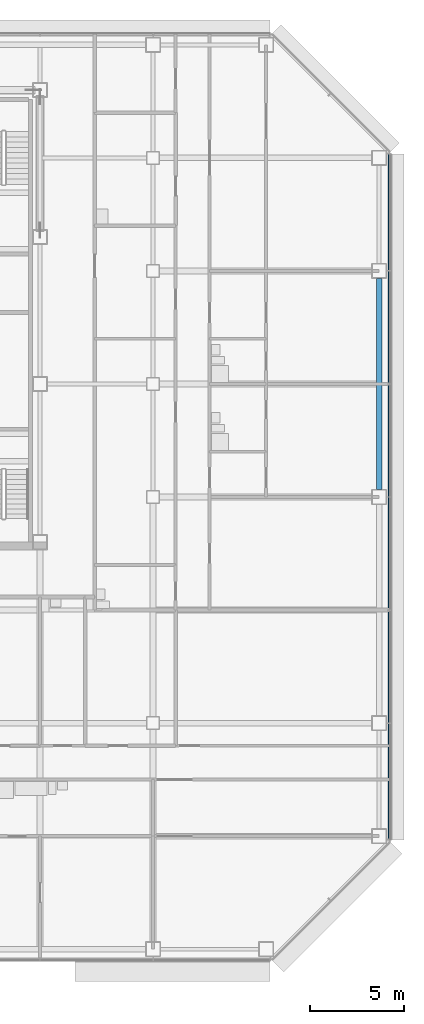
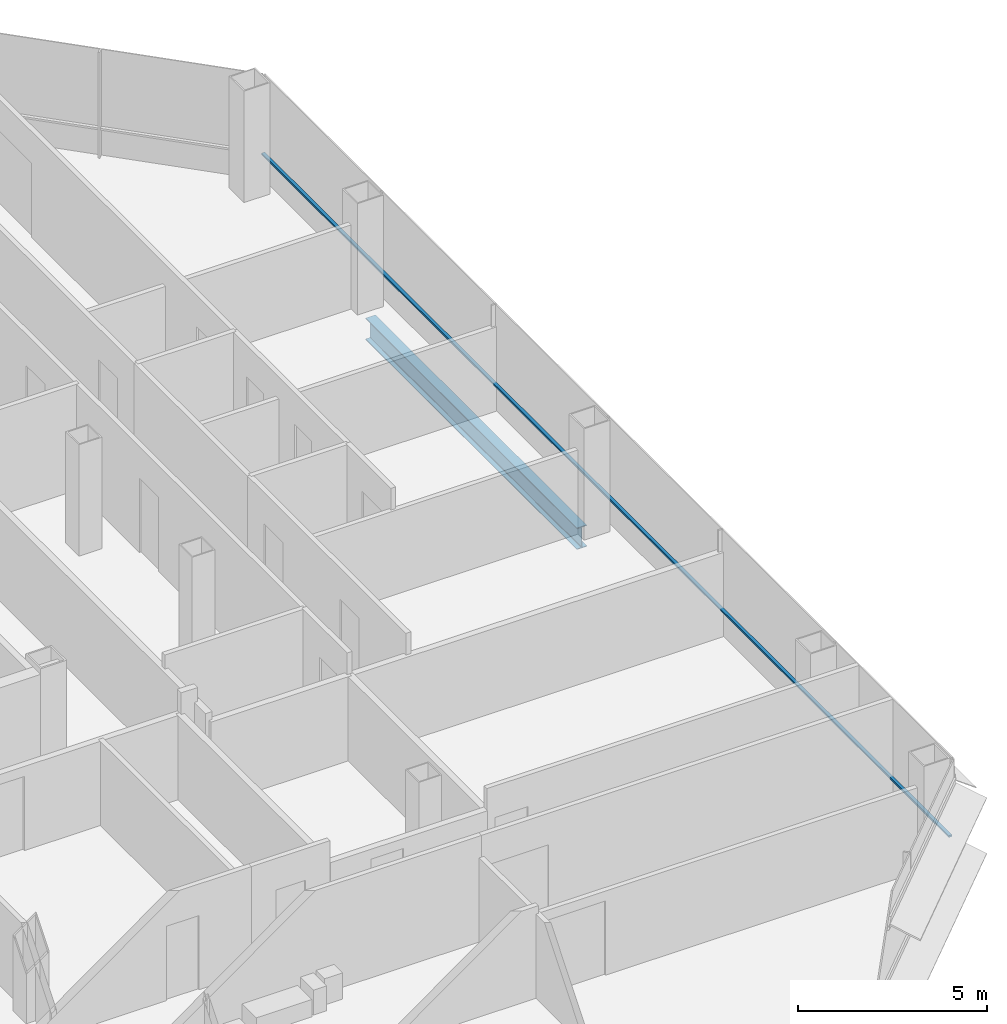
# One storey, part 16 of 25: 1 beam, 1 member, 1 element without a shape of its own.
"""IFC4 building model written with IfcOpenShell, lengths in metres."""

from ifc_helpers import new_model, si_unit, direction, frame, origin, origin_2d, place, context, subcontext, project, spatial, rectangle, i_section, extrude, material, material_profile, profile_set, type_object, element, aggregate, save


model = new_model("IFC4")

# Units and contexts
model_context = context("Model", 3, precision=1e-05, world=origin(), true_north=direction((0.0, 1.0)))
body_context = subcontext(model_context, "Body", "Model", "MODEL_VIEW")
ifc_project = project(units=[si_unit("LENGTHUNIT", "METRE"), si_unit("AREAUNIT", "SQUARE_METRE"), si_unit("VOLUMEUNIT", "CUBIC_METRE"), si_unit("PLANEANGLEUNIT", "RADIAN"), si_unit("MASSUNIT", "GRAM", prefix="KILO")], contexts=[model_context])

# Site, building, storey
site_placement = place(None, origin())
site = spatial("IfcSite", under=ifc_project, at=site_placement, CompositionType="ELEMENT")
building_placement = place(site_placement, origin())
building = spatial("IfcBuilding", under=site, at=building_placement, Name="Sorahane Residences", CompositionType="ELEMENT")
storey_placement = place(building_placement, frame((0.0, 0.0, 107.0)))
storey = spatial("IfcBuildingStorey", under=building, at=storey_placement, Name="L23", CompositionType="ELEMENT", Elevation=107.0)

# Curtain wall, member
ifc_material_1 = material(Name="Dark low-e glass and black anodised aluminium", Category="aluminium")
curtain_wall_type = type_object("IfcCurtainWallType", Name="Curtain wall CW-1 Typical unitised wall", PredefinedType="NOTDEFINED", material=ifc_material_1)
curtain_wall_placement = place(storey_placement, origin())
curtain_wall = element("IfcCurtainWall", 1, at=curtain_wall_placement, inside=storey, type_object=curtain_wall_type, Name="CW-1 curtain wall L23 E1", PredefinedType="NOTDEFINED")
ifc_material_2 = material(Name="Black anodised aluminium", Category="aluminium")
ifc_material_profile_1 = material_profile(ifc_material_2, rectangle(XDim=0.10009765625, YDim=0.06005859375, at=origin_2d()), Name="Curtain wall transom CW-1 black anodised aluminium 60x100")
ifc_profile_set_1 = profile_set([ifc_material_profile_1], Name="Black anodised aluminium")
member_type = type_object("IfcMemberType", Name="Curtain wall transom CW-1 black anodised aluminium 60x100", PredefinedType="USERDEFINED", material=ifc_profile_set_1)
member_placement = place(storey_placement, frame((60.530029296875, 5.801513671875, 0.89990234375), z_axis=(0.0, 1.0, 0.0), x_axis=(-1.0, 0.0, 0.0)))
member = element("IfcMember", 2, at=member_placement, type_object=member_type, Name="CW-1 transom L23 E1", ObjectType="TRANSOM", PredefinedType="USERDEFINED", context=body_context, shape_type="SweptSolid", body=[
    extrude(rectangle(XDim=0.10009765625, YDim=0.06005859375, at=origin_2d()), origin(), (0.0, 0.0, 1.0), 36.39697265625),
])
aggregate(curtain_wall, [member])

# Beam
ifc_material_3 = material(Name="Steel Q355B", Category="steel")
ifc_material_profile_2 = material_profile(ifc_material_3, i_section(OverallWidth=0.300048828125, OverallDepth=0.699951171875, WebThickness=0.012939453125, FlangeThickness=0.02392578125, FilletRadius=0.028076171875, at=origin_2d()), Name="HN 700x300x13x24")
ifc_profile_set_2 = profile_set([ifc_material_profile_2], Name="Steel Q355B")
beam_type = type_object("IfcBeamType", Name="Steel floor beam HN 700x300x13x24 Q355B", PredefinedType="BEAM", material=ifc_profile_set_2)
beam_placement = place(storey_placement, frame((60.0, 24.39990234375, -0.530029296875), z_axis=(0.0, 1.0, 0.0), x_axis=(-1.0, 0.0, 0.0)))
element("IfcBeam", 3, at=beam_placement, inside=storey, type_object=beam_type, Name="Beam L23 066", PredefinedType="BEAM", context=body_context, shape_type="SweptSolid", body=[
    extrude(i_section(OverallWidth=0.300048828125, OverallDepth=0.699951171875, WebThickness=0.012939453125, FlangeThickness=0.02392578125, FilletRadius=0.028076171875, at=origin_2d()), origin(), (0.0, 0.0, 1.0), 11.2001953125),
])

save(model, "model.ifc")
